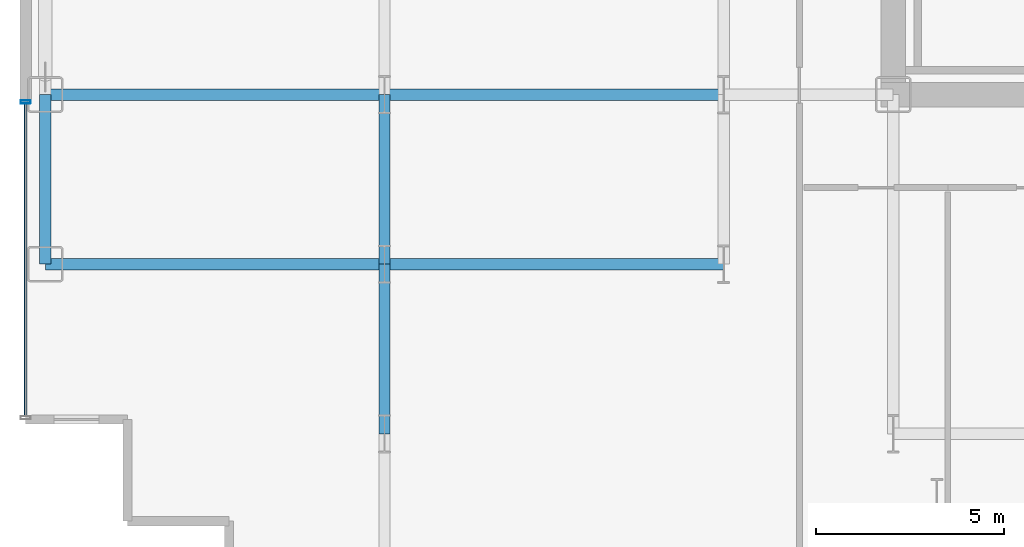
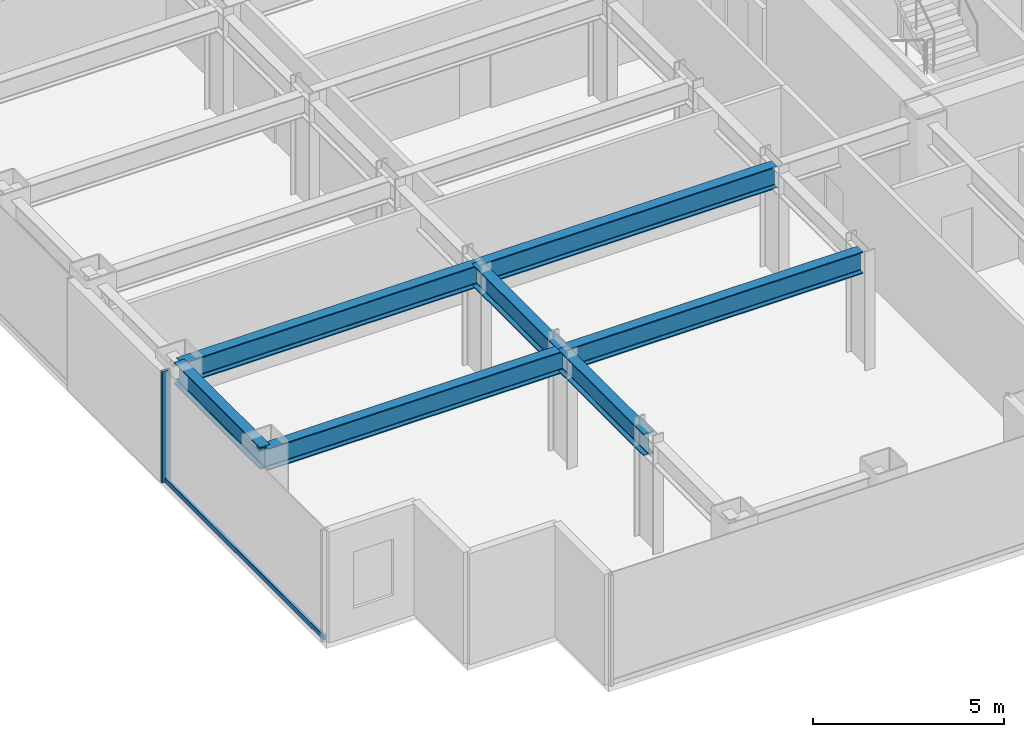
# One storey, part 3 of 29: 7 beams, 2 members, 1 element without a shape of its own.
"""IFC4 building model written with IfcOpenShell, lengths in metres."""

from ifc_helpers import new_model, si_unit, direction, frame, origin, origin_2d, place, context, subcontext, project, spatial, hollow_rectangle, i_section, extrude, source, transform, mapped, material, layer, layer_set, material_profile, profile_set, type_object, element, aggregate, save


model = new_model("IFC4")

# Units and contexts
model_context = context("Model", 3, precision=1e-05, world=origin(), true_north=direction((0.0, 1.0)))
body_context = subcontext(model_context, "Body", "Model", "MODEL_VIEW")
ifc_project = project(units=[si_unit("LENGTHUNIT", "METRE"), si_unit("AREAUNIT", "SQUARE_METRE"), si_unit("VOLUMEUNIT", "CUBIC_METRE"), si_unit("PLANEANGLEUNIT", "RADIAN"), si_unit("MASSUNIT", "GRAM", prefix="KILO")], contexts=[model_context])

# Site, building, storey
site_placement = place(None, origin())
site = spatial("IfcSite", under=ifc_project, at=site_placement, CompositionType="ELEMENT")
building_placement = place(site_placement, origin())
building = spatial("IfcBuilding", under=site, at=building_placement, Name="Nefas-Gora Pilgrimage Tower", CompositionType="ELEMENT")
storey_placement = place(building_placement, frame((0.0, 0.0, 55.800048828125)))
storey = spatial("IfcBuildingStorey", under=building, at=storey_placement, Name="L12", CompositionType="ELEMENT", Elevation=55.800048828125)

# Beams
ifc_material_1 = material(Name="Steel S355", Category="steel")
ifc_material_profile_1 = material_profile(ifc_material_1, i_section(OverallWidth=0.300048828125, OverallDepth=0.699951171875, WebThickness=0.01708984375, FlangeThickness=0.031982421875, FilletRadius=0.027099609375, at=origin_2d()), Name="HEB 700")
ifc_profile_set_1 = profile_set([ifc_material_profile_1], Name="Steel S355")
beam_type_1 = type_object("IfcBeamType", Name="BM-SPN-HEB600", PredefinedType="SPANDREL", material=ifc_profile_set_1)
shared_shape_1 = source(origin(), body_context, "Body", "SweptSolid", [
    extrude(i_section(OverallWidth=0.300048828125, OverallDepth=0.699951171875, WebThickness=0.01708984375, FlangeThickness=0.031982421875, FilletRadius=0.027099609375, at=origin_2d()), origin(), (0.0, 0.0, 1.0), 4.5),
])
beam_placement = place(storey_placement, frame((-33.75, -13.5, 3.199951171875), z_axis=(0.0, 1.0, 0.0), x_axis=(-1.0, 0.0, 0.0)))
element("IfcBeam", 1, at=beam_placement, inside=storey, type_object=beam_type_1, Name="L12 SP-01 beam", PredefinedType="SPANDREL", context=body_context, shape_type="MappedRepresentation", body=[
    mapped(shared_shape_1, transform((0.0, 0.0, 0.0), x_axis=(1.0, 0.0, 0.0), y_axis=(0.0, 1.0, 0.0), z_axis=(0.0, 0.0, 1.0), scale=1.0)),
])
ifc_material_profile_2 = material_profile(ifc_material_1, i_section(OverallWidth=0.300048828125, OverallDepth=0.699951171875, WebThickness=0.01708984375, FlangeThickness=0.031982421875, FilletRadius=0.027099609375, at=origin_2d()), Name="HEB 700")
ifc_profile_set_2 = profile_set([ifc_material_profile_2], Name="Steel S355")
beam_type_2 = type_object("IfcBeamType", Name="BM-GIR-HEB700", PredefinedType="BEAM", material=ifc_profile_set_2)
shared_shape_2 = source(origin(), body_context, "Body", "SweptSolid", [
    extrude(i_section(OverallWidth=0.300048828125, OverallDepth=0.699951171875, WebThickness=0.01708984375, FlangeThickness=0.031982421875, FilletRadius=0.027099609375, at=origin_2d()), origin(), (0.0, 0.0, 1.0), 9.0),
])
for number, where, z_axis, x_axis, name in (
    (2, (-33.75, -13.5, 3.199951171875), (1.0, 0.0, 0.0), (0.0, 1.0, 0.0), "L12 G-02 beam"),
    (3, (-33.75, -9.0, 3.199951171875), (1.0, 0.0, 0.0), (0.0, 1.0, 0.0), "L12 G-02 beam"),
    (4, (-24.75, -13.5, 3.199951171875), (1.0, 0.0, 0.0), (0.0, 1.0, 0.0), "L12 G-02 beam"),
    (5, (-24.75, -9.0, 3.199951171875), (1.0, 0.0, 0.0), (0.0, 1.0, 0.0), "L12 G-02 beam"),
):
    element("IfcBeam", number, at=place(storey_placement, frame(where, z_axis=z_axis, x_axis=x_axis)), inside=storey, type_object=beam_type_2, Name=name, PredefinedType="BEAM", context=body_context, shape_type="MappedRepresentation", body=[
        mapped(shared_shape_2, transform((0.0, 0.0, 0.0), x_axis=(1.0, 0.0, 0.0), y_axis=(0.0, 1.0, 0.0), z_axis=(0.0, 0.0, 1.0), scale=1.0)),
    ])
shared_shape_3 = source(origin(), body_context, "Body", "SweptSolid", [
    extrude(i_section(OverallWidth=0.300048828125, OverallDepth=0.699951171875, WebThickness=0.01708984375, FlangeThickness=0.031982421875, FilletRadius=0.027099609375, at=origin_2d()), origin(), (0.0, 0.0, 1.0), 4.5),
])
for number, where, z_axis, x_axis, name in (
    (6, (-24.75, -18.0, 3.199951171875), (0.0, 1.0, 0.0), (-1.0, 0.0, 0.0), "L12 G-02 beam"),
    (7, (-24.75, -13.5, 3.199951171875), (0.0, 1.0, 0.0), (-1.0, 0.0, 0.0), "L12 G-02 beam"),
):
    element("IfcBeam", number, at=place(storey_placement, frame(where, z_axis=z_axis, x_axis=x_axis)), inside=storey, type_object=beam_type_2, Name=name, PredefinedType="BEAM", context=body_context, shape_type="MappedRepresentation", body=[
        mapped(shared_shape_3, transform((0.0, 0.0, 0.0), x_axis=(1.0, 0.0, 0.0), y_axis=(0.0, 1.0, 0.0), z_axis=(0.0, 0.0, 1.0), scale=1.0)),
    ])

# Curtain wall, members
ifc_material_2 = material(Name="Dark ceramic-fritted solar-control aluminium-glass curtain wall", Category="aluminium")
ifc_layer = layer(ifc_material_2, 0.219970703125)
ifc_layer_set = layer_set([ifc_layer], Name="Dark ceramic-fritted solar-control aluminium-glass curtain wall")
curtain_wall_type = type_object("IfcCurtainWallType", Name="CW-SYS-2", PredefinedType="NOTDEFINED", material=ifc_layer_set)
curtain_wall_placement = place(storey_placement, origin())
curtain_wall = element("IfcCurtainWall", 8, at=curtain_wall_placement, inside=storey, type_object=curtain_wall_type, Name="L12 Unitised Curtain Wall CW2", PredefinedType="NOTDEFINED")
ifc_material_3 = material(Name="Anodised architectural aluminium", Category="aluminium")
ifc_material_profile_3 = material_profile(ifc_material_3, hollow_rectangle(XDim=0.090087890625, YDim=0.260009765625, WallThickness=0.006103515625, InnerFilletRadius=0.006103515625, OuterFilletRadius=0.011962890625, at=origin_2d()), Name="ALU MULLION 90x260")
ifc_profile_set_3 = profile_set([ifc_material_profile_3], Name="Anodised architectural aluminium")
member_type_1 = type_object("IfcMemberType", Name="CWM-MUL-2", PredefinedType="MULLION", material=ifc_profile_set_3)
shared_shape_4 = source(origin(), body_context, "Body", "SweptSolid", [
    extrude(hollow_rectangle(XDim=0.090087890625, YDim=0.260009765625, WallThickness=0.006103515625, InnerFilletRadius=0.006103515625, OuterFilletRadius=0.011962890625, at=origin_2d()), origin(), (0.0, 0.0, 1.0), 3.550048828125),
])
member_1_placement = place(storey_placement, frame((-34.27001953125, -9.195068359375, 0.0), z_axis=(0.0, 0.0, 1.0), x_axis=(0.0, -1.0, 0.0)))
member_1 = element("IfcMember", 9, at=member_1_placement, type_object=member_type_1, Name="CW2 Mullion 1", PredefinedType="MULLION", context=body_context, shape_type="MappedRepresentation", body=[
    mapped(shared_shape_4, transform((0.0, 0.0, 0.0), x_axis=(1.0, 0.0, 0.0), y_axis=(0.0, 1.0, 0.0), z_axis=(0.0, 0.0, 1.0), scale=1.0)),
])
ifc_material_profile_4 = material_profile(ifc_material_3, hollow_rectangle(XDim=0.080078125, YDim=0.159912109375, WallThickness=0.00439453125, InnerFilletRadius=0.00439453125, OuterFilletRadius=0.009033203125, at=origin_2d()), Name="ALU TRANSOM 80x160")
ifc_profile_set_4 = profile_set([ifc_material_profile_4], Name="Anodised architectural aluminium")
member_type_2 = type_object("IfcMemberType", Name="CWM-TRN-2", PredefinedType="USERDEFINED", material=ifc_profile_set_4)
shared_shape_5 = source(origin(), body_context, "Body", "SweptSolid", [
    extrude(hollow_rectangle(XDim=0.080078125, YDim=0.159912109375, WallThickness=0.00439453125, InnerFilletRadius=0.00439453125, OuterFilletRadius=0.009033203125, at=origin_2d()), origin(), (0.0, 0.0, 1.0), 8.2900390625),
])
member_2_placement = place(storey_placement, frame((-34.27001953125, -9.239990234375, 0.050048828125), z_axis=(0.0, -1.0, 0.0), x_axis=(1.0, 0.0, 0.0)))
member_2 = element("IfcMember", 10, at=member_2_placement, type_object=member_type_2, Name="CW2 Spandrel Transom", ObjectType="TRANSOM", PredefinedType="USERDEFINED", context=body_context, shape_type="MappedRepresentation", body=[
    mapped(shared_shape_5, transform((0.0, 0.0, 0.0), x_axis=(1.0, 0.0, 0.0), y_axis=(0.0, 1.0, 0.0), z_axis=(0.0, 0.0, 1.0), scale=1.0)),
])
aggregate(curtain_wall, [member_1, member_2])

save(model, "model.ifc")
